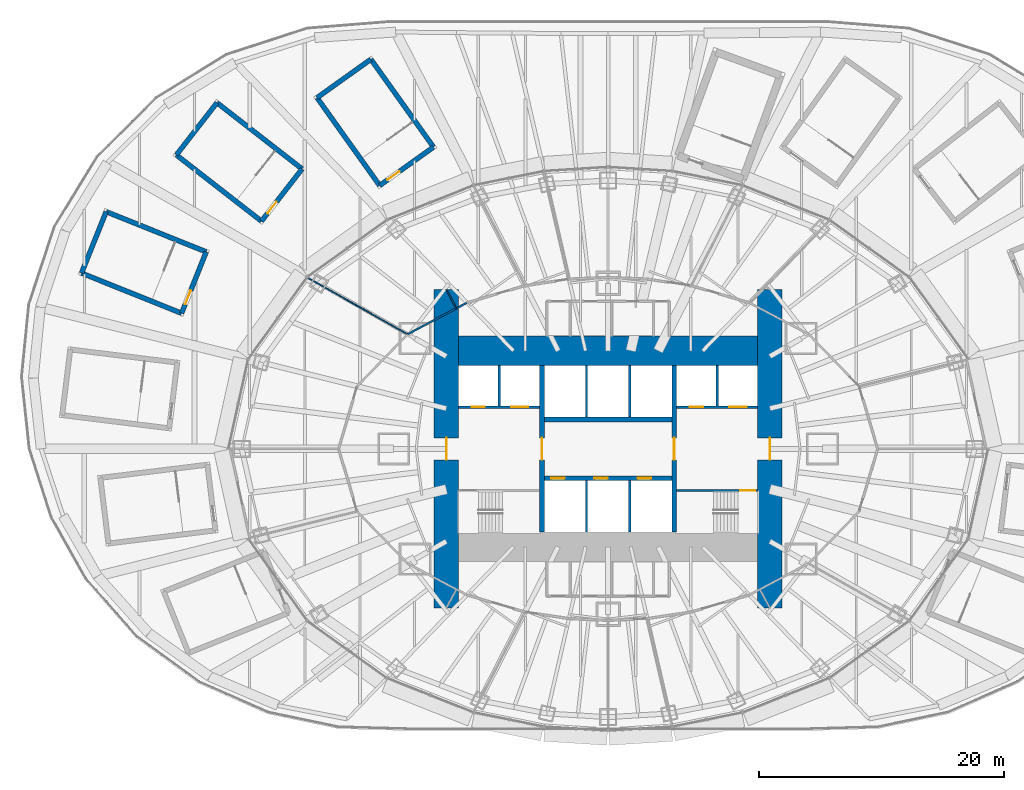
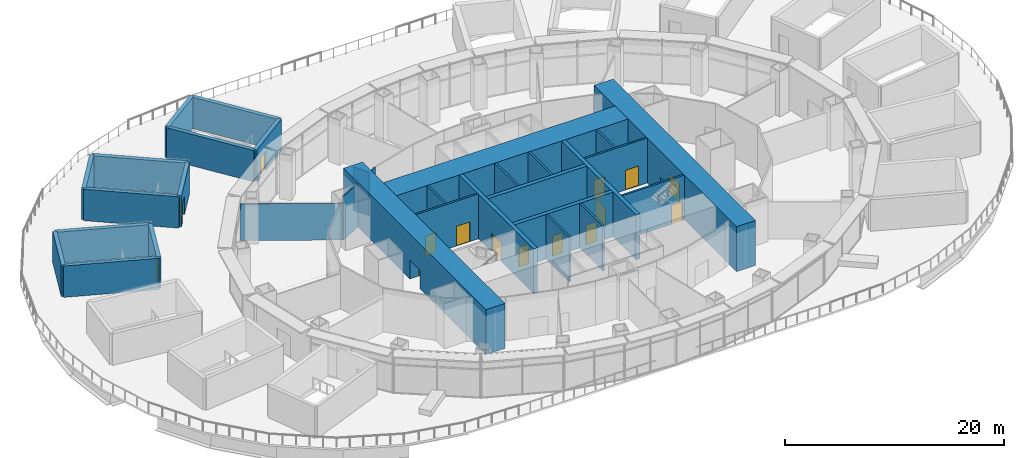
# One storey, part 17 of 25: 31 walls, 15 doors, 15 openings.
"""IFC4 building model written with IfcOpenShell, lengths in metres."""

from ifc_helpers import new_model, si_unit, direction, frame, frame_2d, origin, place, context, subcontext, project, spatial, rectangle, extrude, material, layer, layer_set, type_object, element, fill, save


model = new_model("IFC4")

# Units and contexts
model_context = context("Model", 3, precision=1e-05, world=origin(), true_north=direction((0.0, 1.0)))
body_context = subcontext(model_context, "Body", "Model", "MODEL_VIEW")
ifc_project = project(units=[si_unit("LENGTHUNIT", "METRE"), si_unit("AREAUNIT", "SQUARE_METRE"), si_unit("VOLUMEUNIT", "CUBIC_METRE"), si_unit("PLANEANGLEUNIT", "RADIAN"), si_unit("MASSUNIT", "GRAM", prefix="KILO")], contexts=[model_context])

# Site, building, storey
site_placement = place(None, origin())
site = spatial("IfcSite", under=ifc_project, at=site_placement, CompositionType="ELEMENT")
building_placement = place(site_placement, origin())
building = spatial("IfcBuilding", under=site, at=building_placement, Name="Lantaw Convention Tower", CompositionType="ELEMENT")
storey_placement = place(building_placement, frame((0.0, 0.0, 32.0)))
storey = spatial("IfcBuildingStorey", under=building, at=storey_placement, Name="L05", CompositionType="ELEMENT", Elevation=32.0)

# Wall, opening, door
ifc_material_1 = material(Name="Concrete C60/75", Category="concrete")
ifc_layer_1 = layer(ifc_material_1, 0.199951171875)
ifc_layer_set_1 = layer_set([ifc_layer_1], Name="Core wall 200")
wall_type_1 = type_object("IfcWallType", Name="Core wall 200", PredefinedType="SHEAR", material=ifc_layer_set_1)
wall_1_placement = place(storey_placement, frame((5.60009765625, -3.39990234375, 0.0), z_axis=(0.0, 0.0, 1.0), x_axis=(1.0, 0.0, 0.0)))
wall_1 = element("IfcWall", 1, at=wall_1_placement, inside=storey, type_object=wall_type_1, Name="Core wall ES", PredefinedType="SHEAR", context=body_context, shape_type="SweptSolid", body=[
    extrude(rectangle(XDim=6.599853515625, YDim=0.199951171875, at=frame_2d((3.2998046875, 0.0))), origin(), (0.0, 0.0, 1.0), 5.0),
])
opening_1_placement = place(wall_1_placement, frame((5.199951171875, 0.0, 0.0)))
opening_1 = element("IfcOpeningElement", 2, at=opening_1_placement, cuts=wall_1, Name="Opening L05.03", PredefinedType="OPENING", context=body_context, shape_type="SweptSolid", body=[
    extrude(rectangle(XDim=1.199951171875, YDim=2.10009765625, at=frame_2d((0.60009765625, 1.050048828125))), frame((0.0, 0.10986328125, 0.0), z_axis=(0.0, -1.0, 0.0), x_axis=(1.0, 0.0, 0.0)), (0.0, 0.0, 1.0), 0.219970703125),
])
ifc_material_2 = material(Name="Steel, fire rated", Category="steel")
door_type_1 = type_object("IfcDoorType", Name="Stair door FD90", OperationType="SINGLE_SWING_RIGHT", PredefinedType="DOOR", material=ifc_material_2)
door_1_placement = place(opening_1_placement, origin())
door_1 = element("IfcDoor", 3, at=door_1_placement, inside=storey, type_object=door_type_1, Name="Exit stair door", OperationType="SINGLE_SWING_RIGHT", OverallHeight=2.10009765625, OverallWidth=1.199951171875, PredefinedType="DOOR", context=body_context, shape_type="SweptSolid", body=[
    extrude(rectangle(XDim=1.199951171875, YDim=2.10009765625, at=frame_2d((0.60009765625, 1.050048828125))), frame((0.0, 0.02490234375, 0.0), z_axis=(0.0, -1.0, 0.0), x_axis=(1.0, 0.0, 0.0)), (0.0, 0.0, 1.0), 0.050048828125),
])
fill(opening_1, door_1)

ifc_layer_2 = layer(ifc_material_1, 2.0)
ifc_layer_set_2 = layer_set([ifc_layer_2], Name="Core wall 2000")
wall_type_2 = type_object("IfcWallType", Name="Core wall 2000", PredefinedType="SHEAR", material=ifc_layer_set_2)
wall_2_placement = place(storey_placement, frame((13.199951171875, -13.0, 0.0), z_axis=(0.0, 0.0, 1.0), x_axis=(0.0, 1.0, 0.0)))
wall_2 = element("IfcWall", 4, at=wall_2_placement, inside=storey, type_object=wall_type_2, Name="Core wall E", PredefinedType="SHEAR", context=body_context, shape_type="SweptSolid", body=[
    extrude(rectangle(XDim=26.0, YDim=2.0, at=frame_2d((13.0, 0.0))), origin(), (0.0, 0.0, 1.0), 5.0),
])
opening_2_placement = place(wall_2_placement, frame((12.10009765625, 0.0, 0.0)))
opening_2 = element("IfcOpeningElement", 5, at=opening_2_placement, cuts=wall_2, Name="Opening L05.05", PredefinedType="OPENING", context=body_context, shape_type="SweptSolid", body=[
    extrude(rectangle(XDim=1.800048828125, YDim=2.10009765625, at=frame_2d((0.89990234375, 1.050048828125))), frame((0.0, 1.010009765625, 0.0), z_axis=(0.0, -1.0, 0.0), x_axis=(1.0, 0.0, 0.0)), (0.0, 0.0, 1.0), 2.02001953125),
])
door_type_2 = type_object("IfcDoorType", Name="Lobby double door FD90", OperationType="DOUBLE_DOOR_DOUBLE_SWING", PredefinedType="DOOR", material=ifc_material_2)
door_2_placement = place(opening_2_placement, origin())
door_2 = element("IfcDoor", 6, at=door_2_placement, inside=storey, type_object=door_type_2, Name="Firefighting lobby door", OperationType="DOUBLE_DOOR_DOUBLE_SWING", OverallHeight=2.10009765625, OverallWidth=1.800048828125, PredefinedType="DOOR", context=body_context, shape_type="SweptSolid", body=[
    extrude(rectangle(XDim=1.800048828125, YDim=2.10009765625, at=frame_2d((0.89990234375, 1.050048828125))), frame((0.0, 0.02490234375, 0.0), z_axis=(0.0, -1.0, 0.0), x_axis=(1.0, 0.0, 0.0)), (0.0, 0.0, 1.0), 0.050048828125),
])
fill(opening_2, door_2)

wall_3_placement = place(storey_placement, frame((-13.199951171875, 13.0, 0.0), z_axis=(0.0, 0.0, 1.0), x_axis=(0.0, -1.0, 0.0)))
wall_3 = element("IfcWall", 7, at=wall_3_placement, inside=storey, type_object=wall_type_2, Name="Core wall W", PredefinedType="SHEAR", context=body_context, shape_type="SweptSolid", body=[
    extrude(rectangle(XDim=26.0, YDim=2.0, at=frame_2d((13.0, 0.0))), origin(), (0.0, 0.0, 1.0), 5.0),
])
opening_3_placement = place(wall_3_placement, frame((12.10009765625, 0.0, 0.0)))
opening_3 = element("IfcOpeningElement", 8, at=opening_3_placement, cuts=wall_3, Name="Opening L05.06", PredefinedType="OPENING", context=body_context, shape_type="SweptSolid", body=[
    extrude(rectangle(XDim=1.800048828125, YDim=2.10009765625, at=frame_2d((0.89990234375, 1.050048828125))), frame((0.0, 1.010009765625, 0.0), z_axis=(0.0, -1.0, 0.0), x_axis=(1.0, 0.0, 0.0)), (0.0, 0.0, 1.0), 2.02001953125),
])
door_3_placement = place(opening_3_placement, origin())
door_3 = element("IfcDoor", 9, at=door_3_placement, inside=storey, type_object=door_type_2, Name="Firefighting lobby door", OperationType="DOUBLE_DOOR_DOUBLE_SWING", OverallHeight=2.10009765625, OverallWidth=1.800048828125, PredefinedType="DOOR", context=body_context, shape_type="SweptSolid", body=[
    extrude(rectangle(XDim=1.800048828125, YDim=2.10009765625, at=frame_2d((0.89990234375, 1.050048828125))), frame((0.0, 0.02490234375, 0.0), z_axis=(0.0, -1.0, 0.0), x_axis=(1.0, 0.0, 0.0)), (0.0, 0.0, 1.0), 0.050048828125),
])
fill(opening_3, door_3)

# Wall
ifc_layer_3 = layer(ifc_material_1, 2.39990234375)
ifc_layer_set_3 = layer_set([ifc_layer_3], Name="Core wall 2400")
wall_type_3 = type_object("IfcWallType", Name="Core wall 2400", PredefinedType="SHEAR", material=ifc_layer_set_3)
wall_4_placement = place(storey_placement, frame((12.199951171875, 8.0, 0.0), z_axis=(0.0, 0.0, 1.0), x_axis=(-1.0, 0.0, 0.0)))
element("IfcWall", 10, at=wall_4_placement, inside=storey, type_object=wall_type_3, Name="Core wall N", PredefinedType="SHEAR", context=body_context, shape_type="SweptSolid", body=[
    extrude(rectangle(XDim=24.39990234375, YDim=2.39990234375, at=frame_2d((12.199951171875, 0.0))), origin(), (0.0, 0.0, 1.0), 5.0),
])

# Wall, opening, door
ifc_layer_4 = layer(ifc_material_1, 0.39990234375)
ifc_layer_set_4 = layer_set([ifc_layer_4], Name="Core wall 400")
wall_type_4 = type_object("IfcWallType", Name="Core wall 400", PredefinedType="SHEAR", material=ifc_layer_set_4)
wall_5_placement = place(storey_placement, frame((5.39990234375, -6.800048828125, 0.0), z_axis=(0.0, 0.0, 1.0), x_axis=(0.0, 1.0, 0.0)))
wall_5 = element("IfcWall", 11, at=wall_5_placement, inside=storey, type_object=wall_type_4, Name="Core wall XE", PredefinedType="SHEAR", context=body_context, shape_type="SweptSolid", body=[
    extrude(rectangle(XDim=13.60009765625, YDim=0.39990234375, at=frame_2d((6.800048828125, 0.0))), origin(), (0.0, 0.0, 1.0), 5.0),
])
opening_4_placement = place(wall_5_placement, frame((5.89990234375, 0.0, 0.0)))
opening_4 = element("IfcOpeningElement", 12, at=opening_4_placement, cuts=wall_5, Name="Opening L05.01", PredefinedType="OPENING", context=body_context, shape_type="SweptSolid", body=[
    extrude(rectangle(XDim=1.800048828125, YDim=2.10009765625, at=frame_2d((0.89990234375, 1.050048828125))), frame((0.0, 0.2099609375, 0.0), z_axis=(0.0, -1.0, 0.0), x_axis=(1.0, 0.0, 0.0)), (0.0, 0.0, 1.0), 0.419921875),
])
door_4_placement = place(opening_4_placement, origin())
door_4 = element("IfcDoor", 13, at=door_4_placement, inside=storey, type_object=door_type_2, Name="Lift lobby door", OperationType="DOUBLE_DOOR_DOUBLE_SWING", OverallHeight=2.10009765625, OverallWidth=1.800048828125, PredefinedType="DOOR", context=body_context, shape_type="SweptSolid", body=[
    extrude(rectangle(XDim=1.800048828125, YDim=2.10009765625, at=frame_2d((0.89990234375, 1.050048828125))), frame((0.0, 0.02490234375, 0.0), z_axis=(0.0, -1.0, 0.0), x_axis=(1.0, 0.0, 0.0)), (0.0, 0.0, 1.0), 0.050048828125),
])
fill(opening_4, door_4)

wall_6_placement = place(storey_placement, frame((-5.39990234375, 6.800048828125, 0.0), z_axis=(0.0, 0.0, 1.0), x_axis=(0.0, -1.0, 0.0)))
wall_6 = element("IfcWall", 14, at=wall_6_placement, inside=storey, type_object=wall_type_4, Name="Core wall XW", PredefinedType="SHEAR", context=body_context, shape_type="SweptSolid", body=[
    extrude(rectangle(XDim=13.60009765625, YDim=0.39990234375, at=frame_2d((6.800048828125, 0.0))), origin(), (0.0, 0.0, 1.0), 5.0),
])
opening_5_placement = place(wall_6_placement, frame((5.89990234375, 0.0, 0.0)))
opening_5 = element("IfcOpeningElement", 15, at=opening_5_placement, cuts=wall_6, Name="Opening L05.02", PredefinedType="OPENING", context=body_context, shape_type="SweptSolid", body=[
    extrude(rectangle(XDim=1.800048828125, YDim=2.10009765625, at=frame_2d((0.89990234375, 1.050048828125))), frame((0.0, 0.2099609375, 0.0), z_axis=(0.0, -1.0, 0.0), x_axis=(1.0, 0.0, 0.0)), (0.0, 0.0, 1.0), 0.419921875),
])
door_5_placement = place(opening_5_placement, origin())
door_5 = element("IfcDoor", 16, at=door_5_placement, inside=storey, type_object=door_type_2, Name="Lift lobby door", OperationType="DOUBLE_DOOR_DOUBLE_SWING", OverallHeight=2.10009765625, OverallWidth=1.800048828125, PredefinedType="DOOR", context=body_context, shape_type="SweptSolid", body=[
    extrude(rectangle(XDim=1.800048828125, YDim=2.10009765625, at=frame_2d((0.89990234375, 1.050048828125))), frame((0.0, 0.02490234375, 0.0), z_axis=(0.0, -1.0, 0.0), x_axis=(1.0, 0.0, 0.0)), (0.0, 0.0, 1.0), 0.050048828125),
])
fill(opening_5, door_5)

# Wall, openings, doors
wall_7_placement = place(storey_placement, frame((-5.199951171875, -2.39990234375, 0.0), z_axis=(0.0, 0.0, 1.0), x_axis=(1.0, 0.0, 0.0)))
wall_7 = element("IfcWall", 17, at=wall_7_placement, inside=storey, type_object=wall_type_4, Name="Core wall BS", PredefinedType="SHEAR", context=body_context, shape_type="SweptSolid", body=[
    extrude(rectangle(XDim=10.39990234375, YDim=0.39990234375, at=frame_2d((5.199951171875, 0.0))), origin(), (0.0, 0.0, 1.0), 5.0),
])
opening_6_placement = place(wall_7_placement, frame((0.550048828125, 0.0, 0.0)))
opening_6 = element("IfcOpeningElement", 18, at=opening_6_placement, cuts=wall_7, Name="Opening L05.07", PredefinedType="OPENING", context=body_context, shape_type="SweptSolid", body=[
    extrude(rectangle(XDim=1.10009765625, YDim=2.199951171875, at=frame_2d((0.550048828125, 1.10009765625))), frame((0.0, 0.2099609375, 0.0), z_axis=(0.0, -1.0, 0.0), x_axis=(1.0, 0.0, 0.0)), (0.0, 0.0, 1.0), 0.419921875),
])
opening_7_placement = place(wall_7_placement, frame((4.083251953125, 0.0, 0.0)))
opening_7 = element("IfcOpeningElement", 19, at=opening_7_placement, cuts=wall_7, Name="Opening L05.08", PredefinedType="OPENING", context=body_context, shape_type="SweptSolid", body=[
    extrude(rectangle(XDim=1.10009765625, YDim=2.199951171875, at=frame_2d((0.550048828125, 1.10009765625))), frame((0.0, 0.2099609375, 0.0), z_axis=(0.0, -1.0, 0.0), x_axis=(1.0, 0.0, 0.0)), (0.0, 0.0, 1.0), 0.419921875),
])
opening_8_placement = place(wall_7_placement, frame((7.61669921875, 0.0, 0.0)))
opening_8 = element("IfcOpeningElement", 20, at=opening_8_placement, cuts=wall_7, Name="Opening L05.09", PredefinedType="OPENING", context=body_context, shape_type="SweptSolid", body=[
    extrude(rectangle(XDim=1.10009765625, YDim=2.199951171875, at=frame_2d((0.550048828125, 1.10009765625))), frame((0.0, 0.2099609375, 0.0), z_axis=(0.0, -1.0, 0.0), x_axis=(1.0, 0.0, 0.0)), (0.0, 0.0, 1.0), 0.419921875),
])
ifc_material_3 = material(Name="Stainless steel", Category="steel")
door_type_3 = type_object("IfcDoorType", Name="Lift landing door 1100", OperationType="DOUBLE_DOOR_SLIDING", PredefinedType="DOOR", material=ifc_material_3)
door_6_placement = place(opening_6_placement, origin())
door_6 = element("IfcDoor", 21, at=door_6_placement, inside=storey, type_object=door_type_3, Name="Lift landing door H1", OperationType="DOUBLE_DOOR_SLIDING", OverallHeight=2.199951171875, OverallWidth=1.10009765625, PredefinedType="DOOR", context=body_context, shape_type="SweptSolid", body=[
    extrude(rectangle(XDim=1.10009765625, YDim=2.199951171875, at=frame_2d((0.550048828125, 1.10009765625))), frame((0.0, 0.02490234375, 0.0), z_axis=(0.0, -1.0, 0.0), x_axis=(1.0, 0.0, 0.0)), (0.0, 0.0, 1.0), 0.050048828125),
])
fill(opening_6, door_6)
door_7_placement = place(opening_7_placement, origin())
door_7 = element("IfcDoor", 22, at=door_7_placement, inside=storey, type_object=door_type_3, Name="Lift landing door H2", OperationType="DOUBLE_DOOR_SLIDING", OverallHeight=2.199951171875, OverallWidth=1.10009765625, PredefinedType="DOOR", context=body_context, shape_type="SweptSolid", body=[
    extrude(rectangle(XDim=1.10009765625, YDim=2.199951171875, at=frame_2d((0.550048828125, 1.10009765625))), frame((0.0, 0.02490234375, 0.0), z_axis=(0.0, -1.0, 0.0), x_axis=(1.0, 0.0, 0.0)), (0.0, 0.0, 1.0), 0.050048828125),
])
fill(opening_7, door_7)
door_8_placement = place(opening_8_placement, origin())
door_8 = element("IfcDoor", 23, at=door_8_placement, inside=storey, type_object=door_type_3, Name="Lift landing door H3", OperationType="DOUBLE_DOOR_SLIDING", OverallHeight=2.199951171875, OverallWidth=1.10009765625, PredefinedType="DOOR", context=body_context, shape_type="SweptSolid", body=[
    extrude(rectangle(XDim=1.10009765625, YDim=2.199951171875, at=frame_2d((0.550048828125, 1.10009765625))), frame((0.0, 0.02490234375, 0.0), z_axis=(0.0, -1.0, 0.0), x_axis=(1.0, 0.0, 0.0)), (0.0, 0.0, 1.0), 0.050048828125),
])
fill(opening_8, door_8)

# Walls
wall_8_placement = place(storey_placement, frame((5.199951171875, 2.39990234375, 0.0), z_axis=(0.0, 0.0, 1.0), x_axis=(-1.0, 0.0, 0.0)))
element("IfcWall", 24, at=wall_8_placement, inside=storey, type_object=wall_type_4, Name="Core wall BN", PredefinedType="SHEAR", context=body_context, shape_type="SweptSolid", body=[
    extrude(rectangle(XDim=10.39990234375, YDim=0.39990234375, at=frame_2d((5.199951171875, 0.0))), origin(), (0.0, 0.0, 1.0), 5.0),
])
ifc_material_4 = material(Name="Gypsum board on steel studs, fire rated", Category="steel")
ifc_layer_5 = layer(ifc_material_4, 0.14990234375)
ifc_layer_set_5 = layer_set([ifc_layer_5], Name="Corridor wall 150 EI 60")
wall_type_5 = type_object("IfcWallType", Name="Corridor wall 150 EI 60", PredefinedType="PARTITIONING", material=ifc_layer_set_5)
wall_9_placement = place(storey_placement, frame((-11.5185546875, 11.927734375, 0.0), z_axis=(0.0, 0.0, 1.0), x_axis=(-0.883334368785, -0.468743419071, 0.0)))
element("IfcWall", 25, at=wall_9_placement, inside=storey, type_object=wall_type_5, Name="Corridor wall 150", PredefinedType="PARTITIONING", context=body_context, shape_type="SweptSolid", body=[
    extrude(rectangle(XDim=5.4912109375, YDim=0.14990234375, at=frame_2d((2.74560546875, 0.0))), origin(), (0.0, 0.0, 1.0), 4.85009765625),
])
ifc_material_5 = material(Name="Gypsum board on steel studs, acoustic", Category="steel")
ifc_layer_6 = layer(ifc_material_5, 0.10009765625)
ifc_layer_set_6 = layer_set([ifc_layer_6], Name="Office partition 100")
wall_type_6 = type_object("IfcWallType", Name="Office partition 100", PredefinedType="PARTITIONING", material=ifc_layer_set_6)
wall_10_placement = place(storey_placement, frame((-24.5400390625, 13.96826171875, 0.0), z_axis=(0.0, 0.0, 1.0), x_axis=(0.870737709049, -0.491747742283, 0.0)))
element("IfcWall", 26, at=wall_10_placement, inside=storey, type_object=wall_type_6, Name="Office partition 100", PredefinedType="PARTITIONING", context=body_context, shape_type="SweptSolid", body=[
    extrude(rectangle(XDim=9.3837890625, YDim=0.10009765625, at=frame_2d((4.69189453125, 0.0))), origin(), (0.0, 0.0, 1.0), 4.093017578125),
])
wall_11_placement = place(storey_placement, frame((-13.199951171875, 13.0, 0.0), z_axis=(0.0, 0.0, 1.0), x_axis=(0.46874717052, -0.88333237806, 0.0)))
element("IfcWall", 27, at=wall_11_placement, inside=storey, type_object=wall_type_6, Name="Office partition 100", PredefinedType="PARTITIONING", context=body_context, shape_type="SweptSolid", body=[
    extrude(rectangle(XDim=1.7353515625, YDim=0.10009765625, at=frame_2d((0.86767578125, 0.0))), origin(), (0.0, 0.0, 1.0), 4.85009765625),
])
ifc_material_6 = material(Name="Concrete blockwork, fire rated", Category="masonry")
ifc_layer_7 = layer(ifc_material_6, 0.199951171875)
ifc_layer_set_7 = layer_set([ifc_layer_7], Name="Shaft wall 200")
wall_type_7 = type_object("IfcWallType", Name="Shaft wall 200", PredefinedType="SOLIDWALL", material=ifc_layer_set_7)
for number, where, z_axis, x_axis, name in (
    (28, (-1.7666015625, 2.60009765625, 0.0), (0.0, 0.0, 1.0), (0.0, 1.0, 0.0), "Shaft wall DN1"),
    (29, (1.7666015625, 2.60009765625, 0.0), (0.0, 0.0, 1.0), (0.0, 1.0, 0.0), "Shaft wall DN2"),
):
    element("IfcWall", number, at=place(storey_placement, frame(where, z_axis=z_axis, x_axis=x_axis)), inside=storey, type_object=wall_type_7, Name=name, PredefinedType="SOLIDWALL", context=body_context, shape_type="SweptSolid", body=[
        extrude(rectangle(XDim=4.199951171875, YDim=0.199951171875, at=frame_2d((2.10009765625, 0.0))), origin(), (0.0, 0.0, 1.0), 5.0),
    ])

# Wall, openings, doors
wall_12_placement = place(storey_placement, frame((12.199951171875, 3.39990234375, 0.0), z_axis=(0.0, 0.0, 1.0), x_axis=(-1.0, 0.0, 0.0)))
wall_12 = element("IfcWall", 30, at=wall_12_placement, inside=storey, type_object=wall_type_7, Name="Shaft wall EN", PredefinedType="SOLIDWALL", context=body_context, shape_type="SweptSolid", body=[
    extrude(rectangle(XDim=6.599853515625, YDim=0.199951171875, at=frame_2d((3.2998046875, 0.0))), origin(), (0.0, 0.0, 1.0), 5.0),
])
opening_9_placement = place(wall_12_placement, frame((4.449951171875, 0.0, 0.0)))
opening_9 = element("IfcOpeningElement", 31, at=opening_9_placement, cuts=wall_12, Name="Opening L05.12", PredefinedType="OPENING", context=body_context, shape_type="SweptSolid", body=[
    extrude(rectangle(XDim=1.10009765625, YDim=2.199951171875, at=frame_2d((0.550048828125, 1.10009765625))), frame((0.0, 0.10986328125, 0.0), z_axis=(0.0, -1.0, 0.0), x_axis=(1.0, 0.0, 0.0)), (0.0, 0.0, 1.0), 0.219970703125),
])
opening_10_placement = place(wall_12_placement, frame((0.89990234375, 0.0, 0.0)))
opening_10 = element("IfcOpeningElement", 32, at=opening_10_placement, cuts=wall_12, Name="Opening L05.13", PredefinedType="OPENING", context=body_context, shape_type="SweptSolid", body=[
    extrude(rectangle(XDim=1.39990234375, YDim=2.199951171875, at=frame_2d((0.699951171875, 1.10009765625))), frame((0.0, 0.10986328125, 0.0), z_axis=(0.0, -1.0, 0.0), x_axis=(1.0, 0.0, 0.0)), (0.0, 0.0, 1.0), 0.219970703125),
])
door_9_placement = place(opening_9_placement, origin())
door_9 = element("IfcDoor", 33, at=door_9_placement, inside=storey, type_object=door_type_3, Name="Lift landing door FF2", OperationType="DOUBLE_DOOR_SLIDING", OverallHeight=2.199951171875, OverallWidth=1.10009765625, PredefinedType="DOOR", context=body_context, shape_type="SweptSolid", body=[
    extrude(rectangle(XDim=1.10009765625, YDim=2.199951171875, at=frame_2d((0.550048828125, 1.10009765625))), frame((0.0, 0.02490234375, 0.0), z_axis=(0.0, -1.0, 0.0), x_axis=(1.0, 0.0, 0.0)), (0.0, 0.0, 1.0), 0.050048828125),
])
fill(opening_9, door_9)
door_type_4 = type_object("IfcDoorType", Name="Lift landing door 1400", OperationType="DOUBLE_DOOR_SLIDING", PredefinedType="DOOR", material=ifc_material_3)
door_10_placement = place(opening_10_placement, origin())
door_10 = element("IfcDoor", 34, at=door_10_placement, inside=storey, type_object=door_type_4, Name="Lift landing door SV2", OperationType="DOUBLE_DOOR_SLIDING", OverallHeight=2.199951171875, OverallWidth=1.39990234375, PredefinedType="DOOR", context=body_context, shape_type="SweptSolid", body=[
    extrude(rectangle(XDim=1.39990234375, YDim=2.199951171875, at=frame_2d((0.699951171875, 1.10009765625))), frame((0.0, 0.02490234375, 0.0), z_axis=(0.0, -1.0, 0.0), x_axis=(1.0, 0.0, 0.0)), (0.0, 0.0, 1.0), 0.050048828125),
])
fill(opening_10, door_10)

# Wall
wall_13_placement = place(storey_placement, frame((8.89990234375, 3.5, 0.0), z_axis=(0.0, 0.0, 1.0), x_axis=(0.0, 1.0, 0.0)))
element("IfcWall", 35, at=wall_13_placement, inside=storey, type_object=wall_type_7, Name="Shaft wall ED", PredefinedType="SOLIDWALL", context=body_context, shape_type="SweptSolid", body=[
    extrude(rectangle(XDim=3.300048828125, YDim=0.199951171875, at=frame_2d((1.64990234375, 0.0))), origin(), (0.0, 0.0, 1.0), 5.0),
])

# Wall, openings, doors
wall_14_placement = place(storey_placement, frame((-12.199951171875, 3.39990234375, 0.0), z_axis=(0.0, 0.0, 1.0), x_axis=(1.0, 0.0, 0.0)))
wall_14 = element("IfcWall", 36, at=wall_14_placement, inside=storey, type_object=wall_type_7, Name="Shaft wall WN", PredefinedType="SOLIDWALL", context=body_context, shape_type="SweptSolid", body=[
    extrude(rectangle(XDim=6.599853515625, YDim=0.199951171875, at=frame_2d((3.2998046875, 0.0))), origin(), (0.0, 0.0, 1.0), 5.0),
])
opening_11_placement = place(wall_14_placement, frame((1.050048828125, 0.0, 0.0)))
opening_11 = element("IfcOpeningElement", 37, at=opening_11_placement, cuts=wall_14, Name="Opening L05.10", PredefinedType="OPENING", context=body_context, shape_type="SweptSolid", body=[
    extrude(rectangle(XDim=1.10009765625, YDim=2.199951171875, at=frame_2d((0.550048828125, 1.10009765625))), frame((0.0, 0.10986328125, 0.0), z_axis=(0.0, -1.0, 0.0), x_axis=(1.0, 0.0, 0.0)), (0.0, 0.0, 1.0), 0.219970703125),
])
opening_12_placement = place(wall_14_placement, frame((4.300048828125, 0.0, 0.0)))
opening_12 = element("IfcOpeningElement", 38, at=opening_12_placement, cuts=wall_14, Name="Opening L05.11", PredefinedType="OPENING", context=body_context, shape_type="SweptSolid", body=[
    extrude(rectangle(XDim=1.39990234375, YDim=2.199951171875, at=frame_2d((0.699951171875, 1.10009765625))), frame((0.0, 0.10986328125, 0.0), z_axis=(0.0, -1.0, 0.0), x_axis=(1.0, 0.0, 0.0)), (0.0, 0.0, 1.0), 0.219970703125),
])
door_11_placement = place(opening_11_placement, origin())
door_11 = element("IfcDoor", 39, at=door_11_placement, inside=storey, type_object=door_type_3, Name="Lift landing door FF1", OperationType="DOUBLE_DOOR_SLIDING", OverallHeight=2.199951171875, OverallWidth=1.10009765625, PredefinedType="DOOR", context=body_context, shape_type="SweptSolid", body=[
    extrude(rectangle(XDim=1.10009765625, YDim=2.199951171875, at=frame_2d((0.550048828125, 1.10009765625))), frame((0.0, 0.02490234375, 0.0), z_axis=(0.0, -1.0, 0.0), x_axis=(1.0, 0.0, 0.0)), (0.0, 0.0, 1.0), 0.050048828125),
])
fill(opening_11, door_11)
door_12_placement = place(opening_12_placement, origin())
door_12 = element("IfcDoor", 40, at=door_12_placement, inside=storey, type_object=door_type_4, Name="Lift landing door SV1", OperationType="DOUBLE_DOOR_SLIDING", OverallHeight=2.199951171875, OverallWidth=1.39990234375, PredefinedType="DOOR", context=body_context, shape_type="SweptSolid", body=[
    extrude(rectangle(XDim=1.39990234375, YDim=2.199951171875, at=frame_2d((0.699951171875, 1.10009765625))), frame((0.0, 0.02490234375, 0.0), z_axis=(0.0, -1.0, 0.0), x_axis=(1.0, 0.0, 0.0)), (0.0, 0.0, 1.0), 0.050048828125),
])
fill(opening_12, door_12)

# Walls
wall_15_placement = place(storey_placement, frame((-8.89990234375, 3.5, 0.0), z_axis=(0.0, 0.0, 1.0), x_axis=(0.0, 1.0, 0.0)))
element("IfcWall", 41, at=wall_15_placement, inside=storey, type_object=wall_type_7, Name="Shaft wall WD", PredefinedType="SOLIDWALL", context=body_context, shape_type="SweptSolid", body=[
    extrude(rectangle(XDim=3.300048828125, YDim=0.199951171875, at=frame_2d((1.64990234375, 0.0))), origin(), (0.0, 0.0, 1.0), 5.0),
])
ifc_layer_8 = layer(ifc_material_6, 0.199951171875)
ifc_layer_set_8 = layer_set([ifc_layer_8], Name="Shaft wall 200 load-bearing")
wall_type_8 = type_object("IfcWallType", Name="Shaft wall 200 load-bearing", PredefinedType="SOLIDWALL", material=ifc_layer_set_8)
for number, where, z_axis, x_axis, name in (
    (42, (-1.7666015625, -2.60009765625, 0.0), (0.0, 0.0, 1.0), (0.0, -1.0, 0.0), "Shaft wall DS1"),
    (43, (1.7666015625, -2.60009765625, 0.0), (0.0, 0.0, 1.0), (0.0, -1.0, 0.0), "Shaft wall DS2"),
):
    element("IfcWall", number, at=place(storey_placement, frame(where, z_axis=z_axis, x_axis=x_axis)), inside=storey, type_object=wall_type_8, Name=name, PredefinedType="SOLIDWALL", context=body_context, shape_type="SweptSolid", body=[
        extrude(rectangle(XDim=4.199951171875, YDim=0.199951171875, at=frame_2d((2.10009765625, 0.0))), origin(), (0.0, 0.0, 1.0), 5.0),
    ])
ifc_material_7 = material(Name="Concrete C40/50, stair core, rendered", Category="concrete")
ifc_layer_9 = layer(ifc_material_7, 0.39990234375)
ifc_layer_set_9 = layer_set([ifc_layer_9], Name="Stair head-house wall 400 EI 120")
wall_type_9 = type_object("IfcWallType", Name="Stair head-house wall 400 EI 120", PredefinedType="SHEAR", material=ifc_layer_set_9)
wall_16_placement = place(storey_placement, frame((-14.2509765625, 24.628662109375, 0.0), z_axis=(0.0, 0.0, 1.0), x_axis=(-0.580705313356, 0.814113836659, 0.0)))
element("IfcWall", 44, at=wall_16_placement, inside=storey, type_object=wall_type_9, Name="Stair head-house wall", PredefinedType="SHEAR", context=body_context, shape_type="SweptSolid", body=[
    extrude(rectangle(XDim=8.7998046875, YDim=0.39990234375, at=frame_2d((4.39990234375, 0.0))), origin(), (0.0, 0.0, 1.0), 3.5),
])
wall_17_placement = place(storey_placement, frame((-19.361083984375, 31.792724609375, 0.0), z_axis=(0.0, 0.0, 1.0), x_axis=(-0.814121252423, -0.580694916762, 0.0)))
element("IfcWall", 45, at=wall_17_placement, inside=storey, type_object=wall_type_9, Name="Stair head-house wall", PredefinedType="SHEAR", context=body_context, shape_type="SweptSolid", body=[
    extrude(rectangle(XDim=5.39990234375, YDim=0.39990234375, at=frame_2d((2.699951171875, 0.0))), origin(), (0.0, 0.0, 1.0), 3.5),
])
wall_18_placement = place(storey_placement, frame((-23.75732421875, 28.656982421875, 0.0), z_axis=(0.0, 0.0, 1.0), x_axis=(0.580705313356, -0.814113836659, 0.0)))
element("IfcWall", 46, at=wall_18_placement, inside=storey, type_object=wall_type_9, Name="Stair head-house wall", PredefinedType="SHEAR", context=body_context, shape_type="SweptSolid", body=[
    extrude(rectangle(XDim=8.7998046875, YDim=0.39990234375, at=frame_2d((4.39990234375, 0.0))), origin(), (0.0, 0.0, 1.0), 3.5),
])

# Wall, opening, door
wall_19_placement = place(storey_placement, frame((-18.647216796875, 21.492919921875, 0.0), z_axis=(0.0, 0.0, 1.0), x_axis=(0.814121252423, 0.580694916762, 0.0)))
wall_19 = element("IfcWall", 47, at=wall_19_placement, inside=storey, type_object=wall_type_9, Name="Stair head-house wall", PredefinedType="SHEAR", context=body_context, shape_type="SweptSolid", body=[
    extrude(rectangle(XDim=5.39990234375, YDim=0.39990234375, at=frame_2d((2.699951171875, 0.0))), origin(), (0.0, 0.0, 1.0), 3.5),
])
opening_13_placement = place(wall_19_placement, frame((0.800048828125, 0.0, 0.0)))
opening_13 = element("IfcOpeningElement", 48, at=opening_13_placement, cuts=wall_19, Name="Opening L05.P6", PredefinedType="OPENING", context=body_context, shape_type="SweptSolid", body=[
    extrude(rectangle(XDim=1.199951171875, YDim=2.10009765625, at=frame_2d((0.60009765625, 1.050048828125))), frame((0.0, 0.2099609375, 0.0), z_axis=(0.0, -1.0, 0.0), x_axis=(1.0, 0.0, 0.0)), (0.0, 0.0, 1.0), 0.419921875),
])
ifc_material_8 = material(Name="Aluminium and glass", Category="aluminium")
door_type_5 = type_object("IfcDoorType", Name="Exit door 1200", OperationType="SINGLE_SWING_RIGHT", PredefinedType="DOOR", material=ifc_material_8)
door_13_placement = place(opening_13_placement, origin())
door_13 = element("IfcDoor", 49, at=door_13_placement, inside=storey, type_object=door_type_5, Name="Stair door to terrace", OperationType="SINGLE_SWING_RIGHT", OverallHeight=2.10009765625, OverallWidth=1.199951171875, PredefinedType="DOOR", context=body_context, shape_type="SweptSolid", body=[
    extrude(rectangle(XDim=1.199951171875, YDim=2.10009765625, at=frame_2d((0.60009765625, 1.050048828125))), frame((0.0, 0.02490234375, 0.0), z_axis=(0.0, -1.0, 0.0), x_axis=(1.0, 0.0, 0.0)), (0.0, 0.0, 1.0), 0.050048828125),
])
fill(opening_13, door_13)

# Walls
wall_20_placement = place(storey_placement, frame((-24.9775390625, 22.845703125, 0.0), z_axis=(0.0, 0.0, 1.0), x_axis=(-0.78938060008, 0.613904119726, 0.0)))
element("IfcWall", 50, at=wall_20_placement, inside=storey, type_object=wall_type_9, Name="Stair head-house wall", PredefinedType="SHEAR", context=body_context, shape_type="SweptSolid", body=[
    extrude(rectangle(XDim=8.800048828125, YDim=0.39990234375, at=frame_2d((4.39990234375, 0.0))), origin(), (0.0, 0.0, 1.0), 3.5),
])
wall_21_placement = place(storey_placement, frame((-31.924072265625, 28.248046875, 0.0), z_axis=(0.0, 0.0, 1.0), x_axis=(-0.613912443548, -0.789374126544, 0.0)))
element("IfcWall", 51, at=wall_21_placement, inside=storey, type_object=wall_type_9, Name="Stair head-house wall", PredefinedType="SHEAR", context=body_context, shape_type="SweptSolid", body=[
    extrude(rectangle(XDim=5.400146484375, YDim=0.39990234375, at=frame_2d((2.7001953125, 0.0))), origin(), (0.0, 0.0, 1.0), 3.5),
])
wall_22_placement = place(storey_placement, frame((-35.2392578125, 23.9853515625, 0.0), z_axis=(0.0, 0.0, 1.0), x_axis=(0.78938060008, -0.613904119726, 0.0)))
element("IfcWall", 52, at=wall_22_placement, inside=storey, type_object=wall_type_9, Name="Stair head-house wall", PredefinedType="SHEAR", context=body_context, shape_type="SweptSolid", body=[
    extrude(rectangle(XDim=8.800048828125, YDim=0.39990234375, at=frame_2d((4.39990234375, 0.0))), origin(), (0.0, 0.0, 1.0), 3.5),
])

# Wall, opening, door
wall_23_placement = place(storey_placement, frame((-28.292724609375, 18.5830078125, 0.0), z_axis=(0.0, 0.0, 1.0), x_axis=(0.613912443548, 0.789374126544, 0.0)))
wall_23 = element("IfcWall", 53, at=wall_23_placement, inside=storey, type_object=wall_type_9, Name="Stair head-house wall", PredefinedType="SHEAR", context=body_context, shape_type="SweptSolid", body=[
    extrude(rectangle(XDim=5.400146484375, YDim=0.39990234375, at=frame_2d((2.7001953125, 0.0))), origin(), (0.0, 0.0, 1.0), 3.5),
])
opening_14_placement = place(wall_23_placement, frame((0.800048828125, 0.0, 0.0)))
opening_14 = element("IfcOpeningElement", 54, at=opening_14_placement, cuts=wall_23, Name="Opening L05.P7", PredefinedType="OPENING", context=body_context, shape_type="SweptSolid", body=[
    extrude(rectangle(XDim=1.199951171875, YDim=2.10009765625, at=frame_2d((0.60009765625, 1.050048828125))), frame((0.0, 0.2099609375, 0.0), z_axis=(0.0, -1.0, 0.0), x_axis=(1.0, 0.0, 0.0)), (0.0, 0.0, 1.0), 0.419921875),
])
door_14_placement = place(opening_14_placement, origin())
door_14 = element("IfcDoor", 55, at=door_14_placement, inside=storey, type_object=door_type_5, Name="Stair door to terrace", OperationType="SINGLE_SWING_RIGHT", OverallHeight=2.10009765625, OverallWidth=1.199951171875, PredefinedType="DOOR", context=body_context, shape_type="SweptSolid", body=[
    extrude(rectangle(XDim=1.199951171875, YDim=2.10009765625, at=frame_2d((0.60009765625, 1.050048828125))), frame((0.0, 0.02490234375, 0.0), z_axis=(0.0, -1.0, 0.0), x_axis=(1.0, 0.0, 0.0)), (0.0, 0.0, 1.0), 0.050048828125),
])
fill(opening_14, door_14)

# Walls
wall_24_placement = place(storey_placement, frame((-32.800048828125, 16.07666015625, 0.0), z_axis=(0.0, 0.0, 1.0), x_axis=(-0.92801678004, 0.372538395288, 0.0)))
element("IfcWall", 56, at=wall_24_placement, inside=storey, type_object=wall_type_9, Name="Stair head-house wall", PredefinedType="SHEAR", context=body_context, shape_type="SweptSolid", body=[
    extrude(rectangle(XDim=8.800048828125, YDim=0.39990234375, at=frame_2d((4.39990234375, 0.0))), origin(), (0.0, 0.0, 1.0), 3.5),
])
wall_25_placement = place(storey_placement, frame((-40.966552734375, 19.35498046875, 0.0), z_axis=(0.0, 0.0, 1.0), x_axis=(-0.372544066459, -0.928014503414, 0.0)))
element("IfcWall", 57, at=wall_25_placement, inside=storey, type_object=wall_type_9, Name="Stair head-house wall", PredefinedType="SHEAR", context=body_context, shape_type="SweptSolid", body=[
    extrude(rectangle(XDim=5.39990234375, YDim=0.39990234375, at=frame_2d((2.699951171875, 0.0))), origin(), (0.0, 0.0, 1.0), 3.5),
])
wall_26_placement = place(storey_placement, frame((-42.978271484375, 14.34375, 0.0), z_axis=(0.0, 0.0, 1.0), x_axis=(0.92801678004, -0.372538395288, 0.0)))
element("IfcWall", 58, at=wall_26_placement, inside=storey, type_object=wall_type_9, Name="Stair head-house wall", PredefinedType="SHEAR", context=body_context, shape_type="SweptSolid", body=[
    extrude(rectangle(XDim=8.800048828125, YDim=0.39990234375, at=frame_2d((4.39990234375, 0.0))), origin(), (0.0, 0.0, 1.0), 3.5),
])

# Wall, opening, door
wall_27_placement = place(storey_placement, frame((-34.811767578125, 11.0654296875, 0.0), z_axis=(0.0, 0.0, 1.0), x_axis=(0.372544066459, 0.928014503414, 0.0)))
wall_27 = element("IfcWall", 59, at=wall_27_placement, inside=storey, type_object=wall_type_9, Name="Stair head-house wall", PredefinedType="SHEAR", context=body_context, shape_type="SweptSolid", body=[
    extrude(rectangle(XDim=5.39990234375, YDim=0.39990234375, at=frame_2d((2.699951171875, 0.0))), origin(), (0.0, 0.0, 1.0), 3.5),
])
opening_15_placement = place(wall_27_placement, frame((0.800048828125, 0.0, 0.0)))
opening_15 = element("IfcOpeningElement", 60, at=opening_15_placement, cuts=wall_27, Name="Opening L05.P8", PredefinedType="OPENING", context=body_context, shape_type="SweptSolid", body=[
    extrude(rectangle(XDim=1.199951171875, YDim=2.10009765625, at=frame_2d((0.60009765625, 1.050048828125))), frame((0.0, 0.2099609375, 0.0), z_axis=(0.0, -1.0, 0.0), x_axis=(1.0, 0.0, 0.0)), (0.0, 0.0, 1.0), 0.419921875),
])
door_15_placement = place(opening_15_placement, origin())
door_15 = element("IfcDoor", 61, at=door_15_placement, inside=storey, type_object=door_type_5, Name="Stair door to terrace", OperationType="SINGLE_SWING_RIGHT", OverallHeight=2.10009765625, OverallWidth=1.199951171875, PredefinedType="DOOR", context=body_context, shape_type="SweptSolid", body=[
    extrude(rectangle(XDim=1.199951171875, YDim=2.10009765625, at=frame_2d((0.60009765625, 1.050048828125))), frame((0.0, 0.02490234375, 0.0), z_axis=(0.0, -1.0, 0.0), x_axis=(1.0, 0.0, 0.0)), (0.0, 0.0, 1.0), 0.050048828125),
])
fill(opening_15, door_15)

save(model, "model.ifc")
